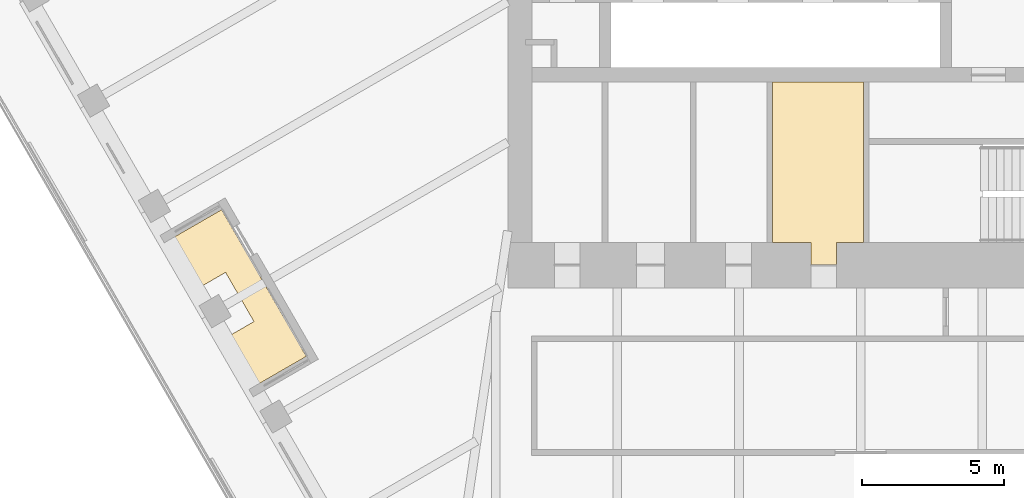
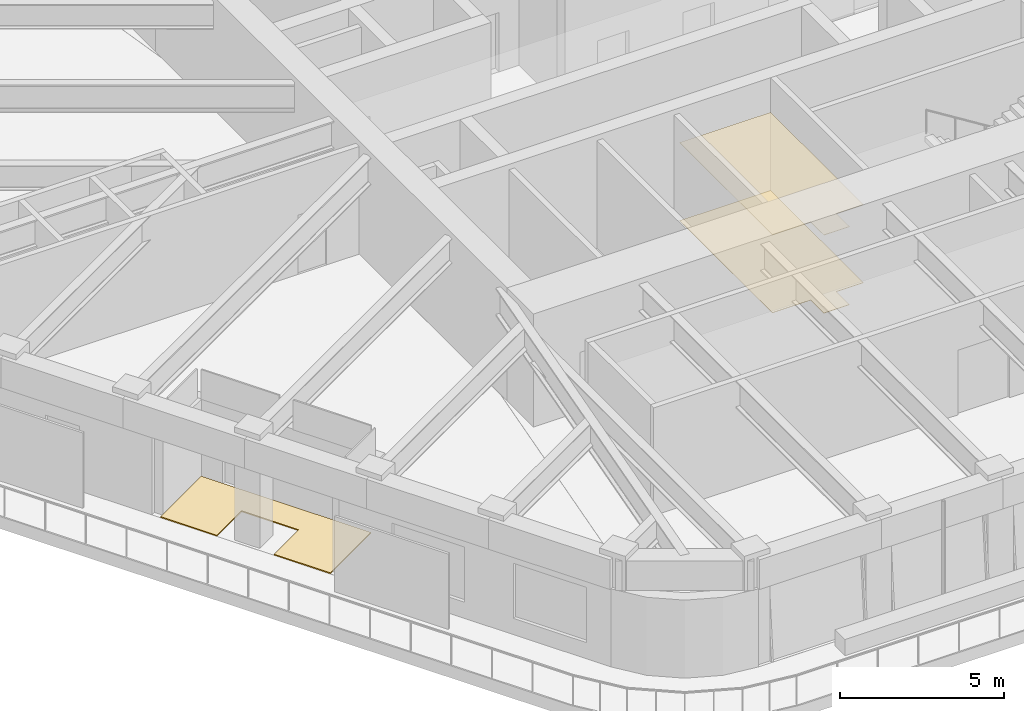
# One storey, part 17 of 19: 3 coverings.
"""IFC4 building model written with IfcOpenShell, lengths in metres."""

from ifc_helpers import new_model, si_unit, direction, frame, origin, place, context, subcontext, project, spatial, polyline, outline, extrude, material, layer, layer_set, type_object, element, save


model = new_model("IFC4")

# Units and contexts
model_context = context("Model", 3, precision=1e-05, world=origin(), true_north=direction((0.0, 1.0)))
body_context = subcontext(model_context, "Body", "Model", "MODEL_VIEW")
ifc_project = project(units=[si_unit("LENGTHUNIT", "METRE"), si_unit("AREAUNIT", "SQUARE_METRE"), si_unit("VOLUMEUNIT", "CUBIC_METRE"), si_unit("PLANEANGLEUNIT", "RADIAN"), si_unit("MASSUNIT", "GRAM", prefix="KILO")], contexts=[model_context])

# Site, building, storey
site_placement = place(None, origin())
site = spatial("IfcSite", under=ifc_project, at=site_placement, CompositionType="ELEMENT")
building_placement = place(site_placement, origin())
building = spatial("IfcBuilding", under=site, at=building_placement, Name="Tarfa Lantern Tower", CompositionType="ELEMENT")
storey_placement = place(building_placement, frame((0.0, 0.0, 353.5)))
storey = spatial("IfcBuildingStorey", under=building, at=storey_placement, Name="L80", CompositionType="ELEMENT", Elevation=353.5)

# Coverings
ifc_material_1 = material(Name="Moisture-resistant plasterboard", Category="finish")
ifc_layer_1 = layer(ifc_material_1, 0.014892578125)
ifc_layer_set_1 = layer_set([ifc_layer_1], Name="CL2 MOISTURE-RESISTANT PLASTERBOARD CEILING 15")
covering_type_1 = type_object("IfcCoveringType", Name="CL2 MOISTURE-RESISTANT PLASTERBOARD CEILING 15", PredefinedType="CEILING", material=ifc_layer_set_1)
covering_1_placement = place(storey_placement, frame((0.0, 0.0, 2.89990234375)))
element("IfcCovering", 1, at=covering_1_placement, inside=storey, type_object=covering_type_1, Name="Ceiling L80-13", PredefinedType="CEILING", context=body_context, shape_type="SweptSolid", body=[
    extrude(outline(polyline([(-0.85009765625, -10.699951171875), (0.10009765625, -10.699951171875), (0.10009765625, -5.050048828125), (-3.10009765625, -5.050048828125), (-3.10009765625, -10.699951171875), (-1.75, -10.699951171875), (-1.75, -11.5), (-0.85009765625, -11.5), (-0.85009765625, -10.699951171875)])), origin(), (0.0, 0.0, 1.0), 0.01513671875),
])
ifc_material_2 = material(Name="Porcelain floor tile", Category="finish")
ifc_layer_2 = layer(ifc_material_2, 0.011962890625)
ifc_layer_set_2 = layer_set([ifc_layer_2], Name="FL3 CERAMIC TILE 12")
covering_type_2 = type_object("IfcCoveringType", Name="FL3 CERAMIC TILE 12", PredefinedType="FLOORING", material=ifc_layer_set_2)
covering_2_placement = place(storey_placement, origin())
element("IfcCovering", 2, at=covering_2_placement, inside=storey, type_object=covering_type_2, Name="Floor finish L80-13", PredefinedType="FLOORING", context=body_context, shape_type="SweptSolid", body=[
    extrude(outline(polyline([(-0.85009765625, -10.699951171875), (0.10009765625, -10.699951171875), (0.10009765625, -5.050048828125), (-3.10009765625, -5.050048828125), (-3.10009765625, -10.699951171875), (-1.75, -10.699951171875), (-1.75, -11.5), (-0.85009765625, -11.5), (-0.85009765625, -10.699951171875)])), origin(), (0.0, 0.0, 1.0), 0.011962890625),
])
ifc_material_3 = material(Name="Porcelain pavers on pedestals", Category="ceramic")
ifc_layer_3 = layer(ifc_material_3, 0.0400390625)
ifc_layer_set_3 = layer_set([ifc_layer_3], Name="LP1 LOGGIA PAVING 40")
covering_type_3 = type_object("IfcCoveringType", Name="LP1 LOGGIA PAVING 40", PredefinedType="FLOORING", material=ifc_layer_set_3)
covering_3_placement = place(storey_placement, origin())
element("IfcCovering", 3, at=covering_3_placement, inside=storey, type_object=covering_type_3, Name="Terrace paving SW", PredefinedType="FLOORING", context=body_context, shape_type="SweptSolid", body=[
    extrude(outline(polyline([(-24.6572265625, -10.79248046875), (-22.509521484375, -9.552490234375), (-19.52734375, -14.717529296875), (-21.67529296875, -15.95751953125), (-22.666259765625, -14.240966796875), (-21.3671875, -13.490966796875), (-22.3671875, -11.759033203125), (-23.666259765625, -12.509033203125), (-24.6572265625, -10.79248046875)])), origin(), (0.0, 0.0, 1.0), 0.0400390625),
])

save(model, "model.ifc")
